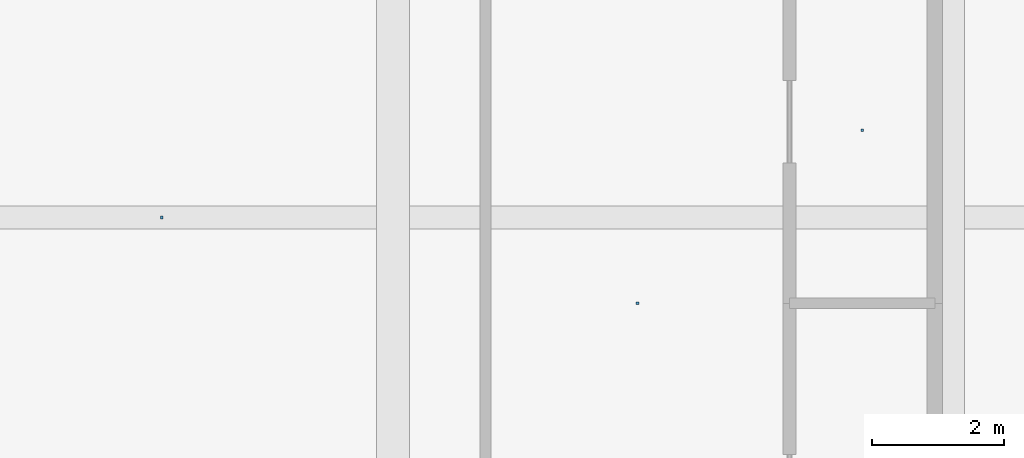
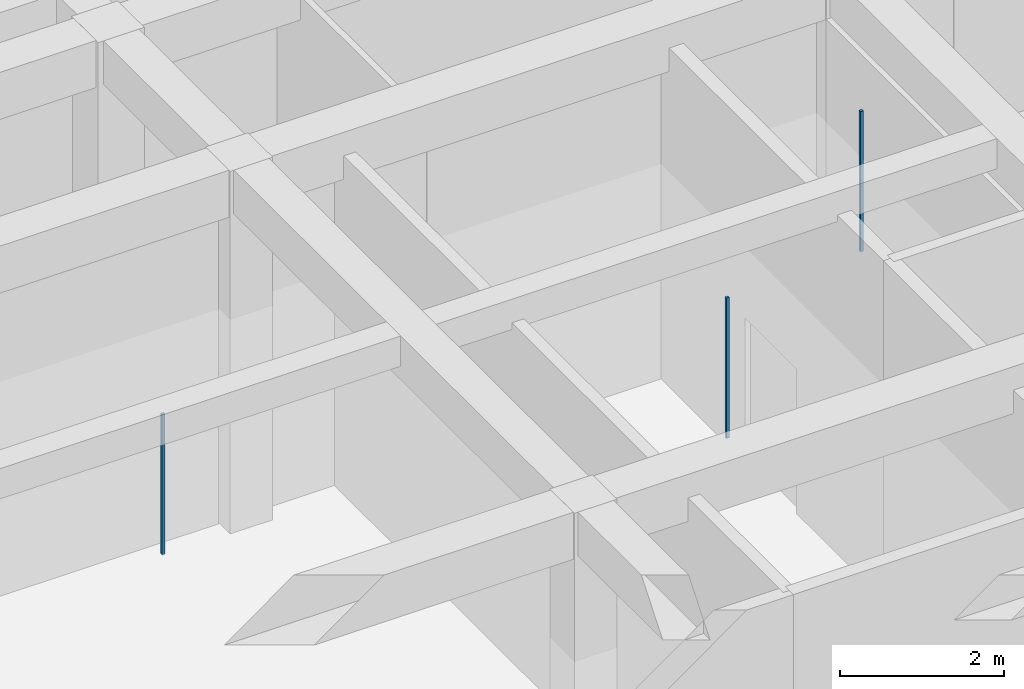
# One storey, part 126 of 157: 3 discrete accessories.
"""IFC4 building model written with IfcOpenShell, lengths in metres."""

from ifc_helpers import new_model, si_unit, direction, frame, origin, origin_2d, place, context, subcontext, project, spatial, rectangle, extrude, material, type_object, element, save


model = new_model("IFC4")

# Units and contexts
model_context = context("Model", 3, precision=1e-05, world=origin(), true_north=direction((0.0, 1.0)))
body_context = subcontext(model_context, "Body", "Model", "MODEL_VIEW")
ifc_project = project(units=[si_unit("LENGTHUNIT", "METRE"), si_unit("AREAUNIT", "SQUARE_METRE"), si_unit("VOLUMEUNIT", "CUBIC_METRE"), si_unit("PLANEANGLEUNIT", "RADIAN"), si_unit("MASSUNIT", "GRAM", prefix="KILO")], contexts=[model_context])

# Site, building, storey
site_placement = place(None, origin())
site = spatial("IfcSite", under=ifc_project, at=site_placement, CompositionType="ELEMENT")
building_placement = place(site_placement, origin())
building = spatial("IfcBuilding", under=site, at=building_placement, Name="Varncliffe General Hospital", CompositionType="ELEMENT")
storey_placement = place(building_placement, frame((0.0, 0.0, 5.39990234375)))
storey = spatial("IfcBuildingStorey", under=building, at=storey_placement, Name="L01", CompositionType="ELEMENT", Elevation=5.39990234375)

# Discrete accessories
ifc_material = material(Name="Powder-coated hospital steel guardrail and handrail", Category="steel")
discrete_accessory_type = type_object("IfcDiscreteAccessoryType", Name="Suspended Ceiling Hanger Bracket CH01", PredefinedType="BRACKET", material=ifc_material)
for number, where, z_axis, x_axis, name in (
    (1, (80.5, 95.39990234375, 3.18994140625), (0.0, 0.0, 1.0), (1.0, 0.0, 0.0), "L01 Suspended Ceiling Hanger 176"),
    (2, (87.699951171875, 94.10009765625, 3.18994140625), (0.0, 0.0, 1.0), (1.0, 0.0, 0.0), "L01 Suspended Ceiling Hanger 177"),
    (3, (91.10009765625, 96.719970703125, 3.18994140625), (0.0, 0.0, 1.0), (1.0, 0.0, 0.0), "L01 Suspended Ceiling Hanger 179"),
):
    element("IfcDiscreteAccessory", number, at=place(storey_placement, frame(where, z_axis=z_axis, x_axis=x_axis)), inside=storey, type_object=discrete_accessory_type, Name=name, PredefinedType="BRACKET", context=body_context, shape_type="SweptSolid", body=[
        extrude(rectangle(XDim=0.0400390625, YDim=0.0400390625, at=origin_2d()), origin(), (0.0, 0.0, 1.0), 2.090087890625),
    ])

save(model, "model.ifc")
